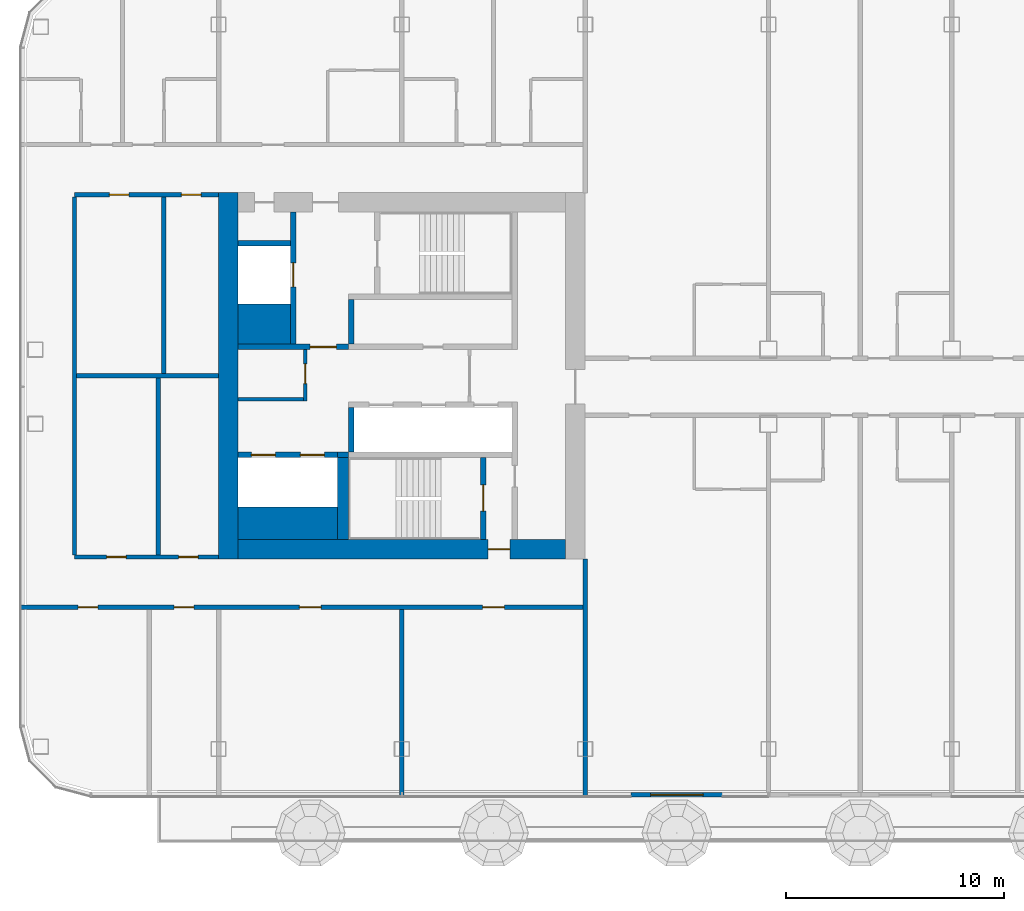
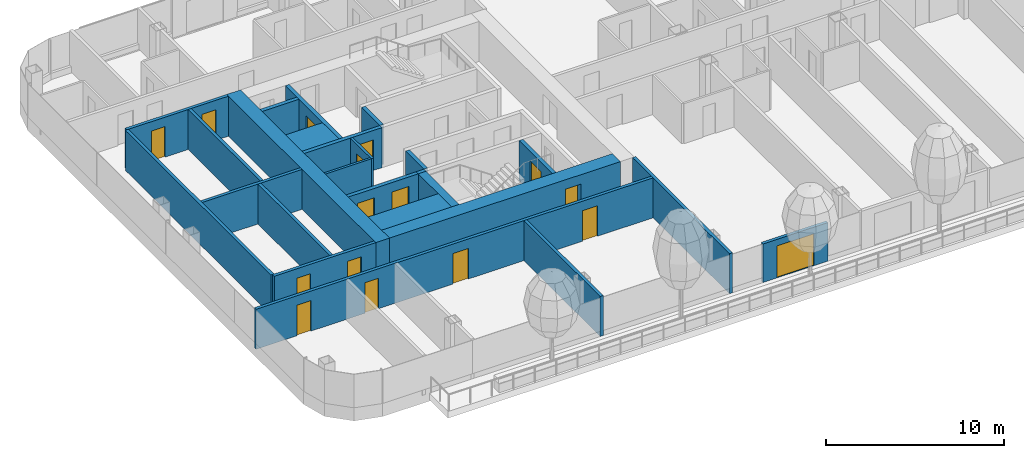
# One storey, part 10 of 30: 25 walls, 16 doors, 16 openings, 1 element without a shape of its own.
"""IFC4 building model written with IfcOpenShell, lengths in metres."""

from ifc_helpers import new_model, si_unit, direction, frame, frame_2d, origin, place, context, subcontext, project, spatial, rectangle, extrude, material, layer, layer_set, type_object, element, fill, aggregate, save


model = new_model("IFC4")

# Units and contexts
model_context = context("Model", 3, precision=1e-05, world=origin(), true_north=direction((0.0, 1.0)))
body_context = subcontext(model_context, "Body", "Model", "MODEL_VIEW")
ifc_project = project(units=[si_unit("LENGTHUNIT", "METRE"), si_unit("AREAUNIT", "SQUARE_METRE"), si_unit("VOLUMEUNIT", "CUBIC_METRE"), si_unit("PLANEANGLEUNIT", "RADIAN"), si_unit("MASSUNIT", "GRAM", prefix="KILO")], contexts=[model_context])

# Site, building, storey
site_placement = place(None, origin())
site = spatial("IfcSite", under=ifc_project, at=site_placement, CompositionType="ELEMENT")
building_placement = place(site_placement, origin())
building = spatial("IfcBuilding", under=site, at=building_placement, Name="Hakoniwa Tower and Hamabe Station Hall", CompositionType="ELEMENT")
storey_placement = place(building_placement, frame((0.0, 0.0, 137.39990234375)))
storey = spatial("IfcBuildingStorey", under=building, at=storey_placement, Name="L38", CompositionType="ELEMENT", Elevation=137.39990234375)

# Wall, opening, door
ifc_material_1 = material(Name="Gypsum board partition")
ifc_layer_1 = layer(ifc_material_1, 0.14990234375)
ifc_layer_set_1 = layer_set([ifc_layer_1], Name="CORE PARTITION 150 EI 60")
wall_type_1 = type_object("IfcWallType", Name="CORE PARTITION 150 EI 60", PredefinedType="PARTITIONING", material=ifc_layer_set_1)
wall_1_placement = place(storey_placement, frame((-29.625, -1.14990234375, 0.0), z_axis=(0.0, 0.0, 1.0), x_axis=(0.0, 1.0, 0.0)))
wall_1 = element("IfcWall", 1, at=wall_1_placement, inside=storey, type_object=wall_type_1, Name="Core partition PW0 west", PredefinedType="PARTITIONING", context=body_context, shape_type="SweptSolid", body=[
    extrude(rectangle(XDim=2.349853515625, YDim=0.14990234375, at=frame_2d((1.1748046875, 0.0))), origin(), (0.0, 0.0, 1.0), 2.75),
])
opening_1_placement = place(wall_1_placement, frame((0.800048828125, 0.0, 0.0)))
opening_1 = element("IfcOpeningElement", 2, at=opening_1_placement, cuts=wall_1, Name="Opening CD-W-RM1-9", PredefinedType="OPENING", context=body_context, shape_type="SweptSolid", body=[
    extrude(rectangle(XDim=0.89990234375, YDim=2.10009765625, at=frame_2d((0.449951171875, 1.050048828125))), frame((0.0, 0.0849609375, 0.0), z_axis=(0.0, -1.0, 0.0), x_axis=(1.0, 0.0, 0.0)), (0.0, 0.0, 1.0), 0.169921875),
])
ifc_material_2 = material(Name="Steel fire door", Category="steel")
door_type_1 = type_object("IfcDoorType", Name="CORE DOOR 900 FD30", OperationType="NOTDEFINED", PredefinedType="DOOR", material=ifc_material_2)
door_1_placement = place(opening_1_placement, origin())
door_1 = element("IfcDoor", 3, at=door_1_placement, inside=storey, type_object=door_type_1, Name="Store room door", OperationType="SINGLE_SWING_RIGHT", OverallHeight=2.10009765625, OverallWidth=0.89990234375, PredefinedType="DOOR", context=body_context, shape_type="SweptSolid", body=[
    extrude(rectangle(XDim=0.89990234375, YDim=2.10009765625, at=frame_2d((0.449951171875, 1.050048828125))), frame((0.0, 0.02490234375, 0.0), z_axis=(0.0, -1.0, 0.0), x_axis=(1.0, 0.0, 0.0)), (0.0, 0.0, 1.0), 0.050048828125),
])
fill(opening_1, door_1)

# Walls
wall_2_placement = place(storey_placement, frame((-32.699951171875, -1.074951171875, 0.0), z_axis=(0.0, 0.0, 1.0), x_axis=(1.0, 0.0, 0.0)))
element("IfcWall", 4, at=wall_2_placement, inside=storey, type_object=wall_type_1, Name="Core partition PS west", PredefinedType="PARTITIONING", context=body_context, shape_type="SweptSolid", body=[
    extrude(rectangle(XDim=3.0, YDim=0.14990234375, at=frame_2d((1.5, 0.0))), origin(), (0.0, 0.0, 1.0), 2.75),
])
ifc_material_3 = material(Name="Concrete C66", Category="concrete")
ifc_layer_2 = layer(ifc_material_3, 0.89990234375)
ifc_layer_set_2 = layer_set([ifc_layer_2], Name="CORE WALL 900 C66")
wall_type_2 = type_object("IfcWallType", Name="CORE WALL 900 C66", PredefinedType="SHEAR", material=ifc_layer_set_2)
wall_3_placement = place(storey_placement, frame((-33.14990234375, -8.39990234375, 0.0), z_axis=(0.0, 0.0, 1.0), x_axis=(0.0, 1.0, 0.0)))
element("IfcWall", 5, at=wall_3_placement, inside=storey, type_object=wall_type_2, Name="Core wall OUTER west", PredefinedType="SHEAR", context=body_context, shape_type="SweptSolid", body=[
    extrude(rectangle(XDim=16.7998046875, YDim=0.89990234375, at=frame_2d((8.39990234375, 0.0))), origin(), (0.0, 0.0, 1.0), 2.75),
])

# Wall, opening, door
wall_4_placement = place(storey_placement, frame((-32.699951171875, -7.949951171875, 0.0), z_axis=(0.0, 0.0, 1.0), x_axis=(1.0, 0.0, 0.0)))
wall_4 = element("IfcWall", 6, at=wall_4_placement, inside=storey, type_object=wall_type_2, Name="Core wall SOUTH west", PredefinedType="SHEAR", context=body_context, shape_type="SweptSolid", body=[
    extrude(rectangle(XDim=15.0, YDim=0.89990234375, at=frame_2d((7.5, 0.0))), origin(), (0.0, 0.0, 1.0), 2.75),
])
opening_2_placement = place(wall_4_placement, frame((11.449951171875, 0.0, 0.0)))
opening_2 = element("IfcOpeningElement", 7, at=opening_2_placement, cuts=wall_4, Name="Opening CD-W-FS3-10", PredefinedType="OPENING", context=body_context, shape_type="SweptSolid", body=[
    extrude(rectangle(XDim=1.0, YDim=2.10009765625, at=frame_2d((0.5, 1.050048828125))), frame((0.0, 0.4599609375, 0.0), z_axis=(0.0, -1.0, 0.0), x_axis=(1.0, 0.0, 0.0)), (0.0, 0.0, 1.0), 0.919921875),
])
ifc_material_4 = material(Name="Steel fire door", Category="steel")
door_type_2 = type_object("IfcDoorType", Name="CORE DOOR 1000 FD60", OperationType="NOTDEFINED", PredefinedType="DOOR", material=ifc_material_4)
door_2_placement = place(opening_2_placement, origin())
door_2 = element("IfcDoor", 8, at=door_2_placement, inside=storey, type_object=door_type_2, Name="Stair vestibule door", OperationType="SINGLE_SWING_RIGHT", OverallHeight=2.10009765625, OverallWidth=1.0, PredefinedType="DOOR", context=body_context, shape_type="SweptSolid", body=[
    extrude(rectangle(XDim=1.0, YDim=2.10009765625, at=frame_2d((0.5, 1.050048828125))), frame((0.0, 0.02490234375, 0.0), z_axis=(0.0, -1.0, 0.0), x_axis=(1.0, 0.0, 0.0)), (0.0, 0.0, 1.0), 0.050048828125),
])
fill(opening_2, door_2)

# Walls
ifc_material_5 = material(Name="Concrete C66", Category="concrete")
ifc_layer_3 = layer(ifc_material_5, 1.5)
ifc_layer_set_3 = layer_set([ifc_layer_3], Name="CORE WEB WALL 1500 C66")
wall_type_3 = type_object("IfcWallType", Name="CORE WEB WALL 1500 C66", PredefinedType="SHEAR", material=ifc_layer_set_3)
wall_5_placement = place(storey_placement, frame((-32.699951171875, -6.75, 0.0), z_axis=(0.0, 0.0, 1.0), x_axis=(1.0, 0.0, 0.0)))
element("IfcWall", 9, at=wall_5_placement, inside=storey, type_object=wall_type_3, Name="Core wall SER west", PredefinedType="SHEAR", context=body_context, shape_type="SweptSolid", body=[
    extrude(rectangle(XDim=4.550048828125, YDim=1.5, at=frame_2d((2.27490234375, 0.0))), origin(), (0.0, 0.0, 1.0), 2.75),
])
ifc_material_6 = material(Name="Concrete C66", Category="concrete")
ifc_layer_4 = layer(ifc_material_6, 1.85009765625)
ifc_layer_set_4 = layer_set([ifc_layer_4], Name="CORE WEB WALL 1850 C66")
wall_type_4 = type_object("IfcWallType", Name="CORE WEB WALL 1850 C66", PredefinedType="SHEAR", material=ifc_layer_set_4)
wall_6_placement = place(storey_placement, frame((-32.699951171875, 2.375, 0.0), z_axis=(0.0, 0.0, 1.0), x_axis=(1.0, 0.0, 0.0)))
element("IfcWall", 10, at=wall_6_placement, inside=storey, type_object=wall_type_4, Name="Core wall CA west", PredefinedType="SHEAR", context=body_context, shape_type="SweptSolid", body=[
    extrude(rectangle(XDim=2.39990234375, YDim=1.85009765625, at=frame_2d((1.199951171875, 0.0))), origin(), (0.0, 0.0, 1.0), 2.75),
])
ifc_material_7 = material(Name="Concrete C66", Category="concrete")
ifc_layer_5 = layer(ifc_material_7, 0.25)
ifc_layer_set_5 = layer_set([ifc_layer_5], Name="CORE WEB WALL 250 C66")
wall_type_5 = type_object("IfcWallType", Name="CORE WEB WALL 250 C66", PredefinedType="SHEAR", material=ifc_layer_set_5)
wall_7_placement = place(storey_placement, frame((-27.52490234375, 1.449951171875, 0.0), z_axis=(0.0, 0.0, 1.0), x_axis=(0.0, 1.0, 0.0)))
element("IfcWall", 11, at=wall_7_placement, inside=storey, type_object=wall_type_5, Name="Core wall NE west", PredefinedType="SHEAR", context=body_context, shape_type="SweptSolid", body=[
    extrude(rectangle(XDim=2.050048828125, YDim=0.25, at=frame_2d((1.02490234375, 0.0))), origin(), (0.0, 0.0, 1.0), 2.75),
])

# Wall, opening, door
wall_8_placement = place(storey_placement, frame((-32.699951171875, 1.324951171875, 0.0), z_axis=(0.0, 0.0, 1.0), x_axis=(1.0, 0.0, 0.0)))
wall_8 = element("IfcWall", 12, at=wall_8_placement, inside=storey, type_object=wall_type_5, Name="Core wall ELN west", PredefinedType="SHEAR", context=body_context, shape_type="SweptSolid", body=[
    extrude(rectangle(XDim=5.050048828125, YDim=0.25, at=frame_2d((2.52490234375, 0.0))), origin(), (0.0, 0.0, 1.0), 2.75),
])
opening_3_placement = place(wall_8_placement, frame((3.300048828125, 0.0, 0.0)))
opening_3 = element("IfcOpeningElement", 13, at=opening_3_placement, cuts=wall_8, Name="Opening CD-W-FL-12", PredefinedType="OPENING", context=body_context, shape_type="SweptSolid", body=[
    extrude(rectangle(XDim=1.199951171875, YDim=2.10009765625, at=frame_2d((0.60009765625, 1.050048828125))), frame((0.0, 0.135009765625, 0.0), z_axis=(0.0, -1.0, 0.0), x_axis=(1.0, 0.0, 0.0)), (0.0, 0.0, 1.0), 0.27001953125),
])
ifc_material_8 = material(Name="Steel fire door", Category="steel")
door_type_3 = type_object("IfcDoorType", Name="CORE DOOR 1200 FD60", OperationType="DOUBLE_DOOR_SINGLE_SWING", PredefinedType="DOOR", material=ifc_material_8)
door_3_placement = place(opening_3_placement, origin())
door_3 = element("IfcDoor", 14, at=door_3_placement, inside=storey, type_object=door_type_3, Name="Stair vestibule door to the fire-fighting lobby", OperationType="DOUBLE_DOOR_SINGLE_SWING", OverallHeight=2.10009765625, OverallWidth=1.199951171875, PredefinedType="DOOR", context=body_context, shape_type="SweptSolid", body=[
    extrude(rectangle(XDim=1.199951171875, YDim=2.10009765625, at=frame_2d((0.60009765625, 1.050048828125))), frame((0.0, 0.02490234375, 0.0), z_axis=(0.0, -1.0, 0.0), x_axis=(1.0, 0.0, 0.0)), (0.0, 0.0, 1.0), 0.050048828125),
])
fill(opening_3, door_3)

wall_9_placement = place(storey_placement, frame((-30.175048828125, 1.449951171875, 0.0), z_axis=(0.0, 0.0, 1.0), x_axis=(0.0, 1.0, 0.0)))
wall_9 = element("IfcWall", 15, at=wall_9_placement, inside=storey, type_object=wall_type_5, Name="Core wall FFF west", PredefinedType="SHEAR", context=body_context, shape_type="SweptSolid", body=[
    extrude(rectangle(XDim=6.050048828125, YDim=0.25, at=frame_2d((3.02490234375, 0.0))), origin(), (0.0, 0.0, 1.0), 2.75),
])
opening_4_placement = place(wall_9_placement, frame((2.625, 0.0, 0.0)))
opening_4 = element("IfcOpeningElement", 16, at=opening_4_placement, cuts=wall_9, Name="Opening LD-FF1", PredefinedType="OPENING", context=body_context, shape_type="SweptSolid", body=[
    extrude(rectangle(XDim=1.10009765625, YDim=2.10009765625, at=frame_2d((0.550048828125, 1.050048828125))), frame((0.0, 0.135009765625, 0.0), z_axis=(0.0, -1.0, 0.0), x_axis=(1.0, 0.0, 0.0)), (0.0, 0.0, 1.0), 0.27001953125),
])
ifc_material_9 = material(Name="Stainless steel SUS304", Category="steel")
door_type_4 = type_object("IfcDoorType", Name="LIFT LANDING DOOR 1100 FD60", OperationType="DOUBLE_DOOR_SLIDING", PredefinedType="DOOR", material=ifc_material_9)
door_4_placement = place(opening_4_placement, origin())
door_4 = element("IfcDoor", 17, at=door_4_placement, inside=storey, type_object=door_type_4, Name="Lift landing door FF1 L38", OperationType="DOUBLE_DOOR_SLIDING", OverallHeight=2.10009765625, OverallWidth=1.10009765625, PredefinedType="DOOR", context=body_context, shape_type="SweptSolid", body=[
    extrude(rectangle(XDim=1.10009765625, YDim=2.10009765625, at=frame_2d((0.550048828125, 1.050048828125))), frame((0.0, 0.02490234375, 0.0), z_axis=(0.0, -1.0, 0.0), x_axis=(1.0, 0.0, 0.0)), (0.0, 0.0, 1.0), 0.050048828125),
])
fill(opening_4, door_4)

# Walls
wall_10_placement = place(storey_placement, frame((-32.699951171875, 6.074951171875, 0.0), z_axis=(0.0, 0.0, 1.0), x_axis=(1.0, 0.0, 0.0)))
element("IfcWall", 18, at=wall_10_placement, inside=storey, type_object=wall_type_5, Name="Core wall C2 west", PredefinedType="SHEAR", context=body_context, shape_type="SweptSolid", body=[
    extrude(rectangle(XDim=2.39990234375, YDim=0.25, at=frame_2d((1.199951171875, 0.0))), origin(), (0.0, 0.0, 1.0), 2.75),
])
wall_11_placement = place(storey_placement, frame((-27.52490234375, -3.5, 0.0), z_axis=(0.0, 0.0, 1.0), x_axis=(0.0, 1.0, 0.0)))
element("IfcWall", 19, at=wall_11_placement, inside=storey, type_object=wall_type_5, Name="Core wall SE west", PredefinedType="SHEAR", context=body_context, shape_type="SweptSolid", body=[
    extrude(rectangle(XDim=2.050048828125, YDim=0.25, at=frame_2d((1.02490234375, 0.0))), origin(), (0.0, 0.0, 1.0), 2.75),
])

# Wall, opening, door
wall_12_placement = place(storey_placement, frame((-21.47509765625, -7.5, 0.0), z_axis=(0.0, 0.0, 1.0), x_axis=(0.0, 1.0, 0.0)))
wall_12 = element("IfcWall", 20, at=wall_12_placement, inside=storey, type_object=wall_type_5, Name="Core wall VE west", PredefinedType="SHEAR", context=body_context, shape_type="SweptSolid", body=[
    extrude(rectangle(XDim=3.75, YDim=0.25, at=frame_2d((1.875, 0.0))), origin(), (0.0, 0.0, 1.0), 2.75),
])
opening_5_placement = place(wall_12_placement, frame((1.300048828125, 0.0, 0.0)))
opening_5 = element("IfcOpeningElement", 21, at=opening_5_placement, cuts=wall_12, Name="Opening CD-W-SS-12", PredefinedType="OPENING", context=body_context, shape_type="SweptSolid", body=[
    extrude(rectangle(XDim=1.199951171875, YDim=2.10009765625, at=frame_2d((0.60009765625, 1.050048828125))), frame((0.0, 0.135009765625, 0.0), z_axis=(0.0, -1.0, 0.0), x_axis=(1.0, 0.0, 0.0)), (0.0, 0.0, 1.0), 0.27001953125),
])
door_5_placement = place(opening_5_placement, origin())
door_5 = element("IfcDoor", 22, at=door_5_placement, inside=storey, type_object=door_type_3, Name="Escape stair door", OperationType="DOUBLE_DOOR_SINGLE_SWING", OverallHeight=2.10009765625, OverallWidth=1.199951171875, PredefinedType="DOOR", context=body_context, shape_type="SweptSolid", body=[
    extrude(rectangle(XDim=1.199951171875, YDim=2.10009765625, at=frame_2d((0.60009765625, 1.050048828125))), frame((0.0, 0.02490234375, 0.0), z_axis=(0.0, -1.0, 0.0), x_axis=(1.0, 0.0, 0.0)), (0.0, 0.0, 1.0), 0.050048828125),
])
fill(opening_5, door_5)

# Wall, openings, doors
wall_13_placement = place(storey_placement, frame((-32.699951171875, -3.625, 0.0), z_axis=(0.0, 0.0, 1.0), x_axis=(1.0, 0.0, 0.0)))
wall_13 = element("IfcWall", 23, at=wall_13_placement, inside=storey, type_object=wall_type_5, Name="Core wall SEF west", PredefinedType="SHEAR", context=body_context, shape_type="SweptSolid", body=[
    extrude(rectangle(XDim=4.550048828125, YDim=0.25, at=frame_2d((2.27490234375, 0.0))), origin(), (0.0, 0.0, 1.0), 2.75),
])
opening_6_placement = place(wall_13_placement, frame((2.85009765625, 0.0, 0.0)))
opening_6 = element("IfcOpeningElement", 24, at=opening_6_placement, cuts=wall_13, Name="Opening LD-SV1", PredefinedType="OPENING", context=body_context, shape_type="SweptSolid", body=[
    extrude(rectangle(XDim=1.10009765625, YDim=2.10009765625, at=frame_2d((0.550048828125, 1.050048828125))), frame((0.0, 0.135009765625, 0.0), z_axis=(0.0, -1.0, 0.0), x_axis=(1.0, 0.0, 0.0)), (0.0, 0.0, 1.0), 0.27001953125),
])
opening_7_placement = place(wall_13_placement, frame((0.60009765625, 0.0, 0.0)))
opening_7 = element("IfcOpeningElement", 25, at=opening_7_placement, cuts=wall_13, Name="Opening LD-SV2", PredefinedType="OPENING", context=body_context, shape_type="SweptSolid", body=[
    extrude(rectangle(XDim=1.10009765625, YDim=2.10009765625, at=frame_2d((0.550048828125, 1.050048828125))), frame((0.0, 0.135009765625, 0.0), z_axis=(0.0, -1.0, 0.0), x_axis=(1.0, 0.0, 0.0)), (0.0, 0.0, 1.0), 0.27001953125),
])
door_6_placement = place(opening_6_placement, origin())
door_6 = element("IfcDoor", 26, at=door_6_placement, inside=storey, type_object=door_type_4, Name="Lift landing door SV1 L38", OperationType="DOUBLE_DOOR_SLIDING", OverallHeight=2.10009765625, OverallWidth=1.10009765625, PredefinedType="DOOR", context=body_context, shape_type="SweptSolid", body=[
    extrude(rectangle(XDim=1.10009765625, YDim=2.10009765625, at=frame_2d((0.550048828125, 1.050048828125))), frame((0.0, 0.02490234375, 0.0), z_axis=(0.0, -1.0, 0.0), x_axis=(1.0, 0.0, 0.0)), (0.0, 0.0, 1.0), 0.050048828125),
])
fill(opening_6, door_6)
door_7_placement = place(opening_7_placement, origin())
door_7 = element("IfcDoor", 27, at=door_7_placement, inside=storey, type_object=door_type_4, Name="Lift landing door SV2 L38", OperationType="DOUBLE_DOOR_SLIDING", OverallHeight=2.10009765625, OverallWidth=1.10009765625, PredefinedType="DOOR", context=body_context, shape_type="SweptSolid", body=[
    extrude(rectangle(XDim=1.10009765625, YDim=2.10009765625, at=frame_2d((0.550048828125, 1.050048828125))), frame((0.0, 0.02490234375, 0.0), z_axis=(0.0, -1.0, 0.0), x_axis=(1.0, 0.0, 0.0)), (0.0, 0.0, 1.0), 0.050048828125),
])
fill(opening_7, door_7)

# Walls
wall_14_placement = place(storey_placement, frame((-28.14990234375, -3.625, 0.0), z_axis=(0.0, 0.0, 1.0), x_axis=(1.0, 0.0, 0.0)))
element("IfcWall", 28, at=wall_14_placement, inside=storey, type_object=wall_type_5, Name="Core wall SRK west", PredefinedType="SHEAR", context=body_context, shape_type="SweptSolid", body=[
    extrude(rectangle(XDim=0.5, YDim=0.25, at=frame_2d((0.25, 0.0))), origin(), (0.0, 0.0, 1.0), 2.75),
])
ifc_material_10 = material(Name="Concrete C66", Category="concrete")
ifc_layer_6 = layer(ifc_material_10, 0.5)
ifc_layer_set_6 = layer_set([ifc_layer_6], Name="CORE WEB WALL 500 C66")
wall_type_6 = type_object("IfcWallType", Name="CORE WEB WALL 500 C66", PredefinedType="SHEAR", material=ifc_layer_set_6)
wall_15_placement = place(storey_placement, frame((-27.89990234375, -7.5, 0.0), z_axis=(0.0, 0.0, 1.0), x_axis=(0.0, 1.0, 0.0)))
element("IfcWall", 29, at=wall_15_placement, inside=storey, type_object=wall_type_6, Name="Core wall SSE west", PredefinedType="SHEAR", context=body_context, shape_type="SweptSolid", body=[
    extrude(rectangle(XDim=3.75, YDim=0.5, at=frame_2d((1.875, 0.0))), origin(), (0.0, 0.0, 1.0), 2.75),
])

# Wall, openings, doors
ifc_material_11 = material(Name="Fire-rated gypsum board partition", Category="gypsum")
ifc_layer_7 = layer(ifc_material_11, 0.199951171875)
ifc_layer_set_7 = layer_set([ifc_layer_7], Name="Corridor Wall 200")
wall_type_7 = type_object("IfcWallType", Name="Corridor Wall 200", PredefinedType="PARTITIONING", material=ifc_layer_set_7)
wall_16_placement = place(storey_placement, frame((-42.699951171875, -10.60009765625, 0.0), z_axis=(0.0, 0.0, 1.0), x_axis=(1.0, 0.0, 0.0)))
wall_16 = element("IfcWall", 30, at=wall_16_placement, inside=storey, type_object=wall_type_7, Name="GW-L38-005", PredefinedType="PARTITIONING", context=body_context, shape_type="SweptSolid", body=[
    extrude(rectangle(XDim=25.89990234375, YDim=0.199951171875, at=frame_2d((12.949951171875, 0.0))), origin(), (0.0, 0.0, 1.0), 2.75),
])
opening_8_placement = place(wall_16_placement, frame((2.6650390625, 0.0, 0.0)))
opening_8 = element("IfcOpeningElement", 31, at=opening_8_placement, cuts=wall_16, Name="Opening GD-G3C0-03", PredefinedType="OPENING", context=body_context, shape_type="SweptSolid", body=[
    extrude(rectangle(XDim=0.89990234375, YDim=2.10009765625, at=frame_2d((0.449951171875, 1.050048828125))), frame((0.0, 0.10986328125, 0.0), z_axis=(0.0, -1.0, 0.0), x_axis=(1.0, 0.0, 0.0)), (0.0, 0.0, 1.0), 0.219970703125),
])
opening_9_placement = place(wall_16_placement, frame((7.06494140625, 0.0, 0.0)))
opening_9 = element("IfcOpeningElement", 32, at=opening_9_placement, cuts=wall_16, Name="Opening GD-G3C0-04", PredefinedType="OPENING", context=body_context, shape_type="SweptSolid", body=[
    extrude(rectangle(XDim=0.89990234375, YDim=2.10009765625, at=frame_2d((0.449951171875, 1.050048828125))), frame((0.0, 0.10986328125, 0.0), z_axis=(0.0, -1.0, 0.0), x_axis=(1.0, 0.0, 0.0)), (0.0, 0.0, 1.0), 0.219970703125),
])
opening_10_placement = place(wall_16_placement, frame((12.800048828125, 0.0, 0.0)))
opening_10 = element("IfcOpeningElement", 33, at=opening_10_placement, cuts=wall_16, Name="Opening GD-G3C0-05", PredefinedType="OPENING", context=body_context, shape_type="SweptSolid", body=[
    extrude(rectangle(XDim=1.0, YDim=2.10009765625, at=frame_2d((0.5, 1.050048828125))), frame((0.0, 0.10986328125, 0.0), z_axis=(0.0, -1.0, 0.0), x_axis=(1.0, 0.0, 0.0)), (0.0, 0.0, 1.0), 0.219970703125),
])
opening_11_placement = place(wall_16_placement, frame((21.199951171875, 0.0, 0.0)))
opening_11 = element("IfcOpeningElement", 34, at=opening_11_placement, cuts=wall_16, Name="Opening GD-G3C0-06", PredefinedType="OPENING", context=body_context, shape_type="SweptSolid", body=[
    extrude(rectangle(XDim=1.0, YDim=2.10009765625, at=frame_2d((0.5, 1.050048828125))), frame((0.0, 0.10986328125, 0.0), z_axis=(0.0, -1.0, 0.0), x_axis=(1.0, 0.0, 0.0)), (0.0, 0.0, 1.0), 0.219970703125),
])
ifc_material_12 = material(Name="Timber door leaf", Category="wood")
door_type_5 = type_object("IfcDoorType", Name="Guest Entrance Door 1000", OperationType="SINGLE_SWING_LEFT", PredefinedType="DOOR", material=ifc_material_12)
door_8_placement = place(opening_10_placement, origin())
door_8 = element("IfcDoor", 35, at=door_8_placement, inside=storey, type_object=door_type_5, Name="Door GD-G3C0-05", OperationType="SINGLE_SWING_RIGHT", OverallHeight=2.10009765625, OverallWidth=1.0, PredefinedType="DOOR", context=body_context, shape_type="SweptSolid", body=[
    extrude(rectangle(XDim=1.0, YDim=2.10009765625, at=frame_2d((0.5, 1.050048828125))), frame((0.0, 0.02490234375, 0.0), z_axis=(0.0, -1.0, 0.0), x_axis=(1.0, 0.0, 0.0)), (0.0, 0.0, 1.0), 0.050048828125),
])
fill(opening_10, door_8)
door_9_placement = place(opening_11_placement, origin())
door_9 = element("IfcDoor", 36, at=door_9_placement, inside=storey, type_object=door_type_5, Name="Door GD-G3C0-06", OperationType="SINGLE_SWING_LEFT", OverallHeight=2.10009765625, OverallWidth=1.0, PredefinedType="DOOR", context=body_context, shape_type="SweptSolid", body=[
    extrude(rectangle(XDim=1.0, YDim=2.10009765625, at=frame_2d((0.5, 1.050048828125))), frame((0.0, 0.02490234375, 0.0), z_axis=(0.0, -1.0, 0.0), x_axis=(1.0, 0.0, 0.0)), (0.0, 0.0, 1.0), 0.050048828125),
])
fill(opening_11, door_9)
ifc_material_13 = material(Name="Timber door leaf", Category="wood")
door_type_6 = type_object("IfcDoorType", Name="Service Door 900", OperationType="SINGLE_SWING_LEFT", PredefinedType="DOOR", material=ifc_material_13)
door_10_placement = place(opening_8_placement, origin())
door_10 = element("IfcDoor", 37, at=door_10_placement, inside=storey, type_object=door_type_6, Name="Door GD-G3C0-03", OperationType="SINGLE_SWING_RIGHT", OverallHeight=2.10009765625, OverallWidth=0.89990234375, PredefinedType="DOOR", context=body_context, shape_type="SweptSolid", body=[
    extrude(rectangle(XDim=0.89990234375, YDim=2.10009765625, at=frame_2d((0.449951171875, 1.050048828125))), frame((0.0, 0.02490234375, 0.0), z_axis=(0.0, -1.0, 0.0), x_axis=(1.0, 0.0, 0.0)), (0.0, 0.0, 1.0), 0.050048828125),
])
fill(opening_8, door_10)
door_11_placement = place(opening_9_placement, origin())
door_11 = element("IfcDoor", 38, at=door_11_placement, inside=storey, type_object=door_type_6, Name="Door GD-G3C0-04", OperationType="SINGLE_SWING_LEFT", OverallHeight=2.10009765625, OverallWidth=0.89990234375, PredefinedType="DOOR", context=body_context, shape_type="SweptSolid", body=[
    extrude(rectangle(XDim=0.89990234375, YDim=2.10009765625, at=frame_2d((0.449951171875, 1.050048828125))), frame((0.0, 0.02490234375, 0.0), z_axis=(0.0, -1.0, 0.0), x_axis=(1.0, 0.0, 0.0)), (0.0, 0.0, 1.0), 0.050048828125),
])
fill(opening_9, door_11)

wall_17_placement = place(storey_placement, frame((-40.199951171875, -8.300048828125, 0.0), z_axis=(0.0, 0.0, 1.0), x_axis=(1.0, 0.0, 0.0)))
wall_17 = element("IfcWall", 39, at=wall_17_placement, inside=storey, type_object=wall_type_7, Name="GW-L38-007", PredefinedType="PARTITIONING", context=body_context, shape_type="SweptSolid", body=[
    extrude(rectangle(XDim=6.599853515625, YDim=0.199951171875, at=frame_2d((3.2998046875, 0.0))), origin(), (0.0, 0.0, 1.0), 2.75),
])
opening_12_placement = place(wall_17_placement, frame((1.465087890625, 0.0, 0.0)))
opening_12 = element("IfcOpeningElement", 40, at=opening_12_placement, cuts=wall_17, Name="Opening GD-G3C0-11", PredefinedType="OPENING", context=body_context, shape_type="SweptSolid", body=[
    extrude(rectangle(XDim=0.89990234375, YDim=2.10009765625, at=frame_2d((0.449951171875, 1.050048828125))), frame((0.0, 0.10986328125, 0.0), z_axis=(0.0, -1.0, 0.0), x_axis=(1.0, 0.0, 0.0)), (0.0, 0.0, 1.0), 0.219970703125),
])
opening_13_placement = place(wall_17_placement, frame((4.764892578125, 0.0, 0.0)))
opening_13 = element("IfcOpeningElement", 41, at=opening_13_placement, cuts=wall_17, Name="Opening GD-G3C0-12", PredefinedType="OPENING", context=body_context, shape_type="SweptSolid", body=[
    extrude(rectangle(XDim=0.89990234375, YDim=2.10009765625, at=frame_2d((0.449951171875, 1.050048828125))), frame((0.0, 0.10986328125, 0.0), z_axis=(0.0, -1.0, 0.0), x_axis=(1.0, 0.0, 0.0)), (0.0, 0.0, 1.0), 0.219970703125),
])
door_12_placement = place(opening_12_placement, origin())
door_12 = element("IfcDoor", 42, at=door_12_placement, inside=storey, type_object=door_type_6, Name="Door GD-G3C0-11", OperationType="SINGLE_SWING_RIGHT", OverallHeight=2.10009765625, OverallWidth=0.89990234375, PredefinedType="DOOR", context=body_context, shape_type="SweptSolid", body=[
    extrude(rectangle(XDim=0.89990234375, YDim=2.10009765625, at=frame_2d((0.449951171875, 1.050048828125))), frame((0.0, 0.02490234375, 0.0), z_axis=(0.0, -1.0, 0.0), x_axis=(1.0, 0.0, 0.0)), (0.0, 0.0, 1.0), 0.050048828125),
])
fill(opening_12, door_12)
door_13_placement = place(opening_13_placement, origin())
door_13 = element("IfcDoor", 43, at=door_13_placement, inside=storey, type_object=door_type_6, Name="Door GD-G3C0-12", OperationType="SINGLE_SWING_RIGHT", OverallHeight=2.10009765625, OverallWidth=0.89990234375, PredefinedType="DOOR", context=body_context, shape_type="SweptSolid", body=[
    extrude(rectangle(XDim=0.89990234375, YDim=2.10009765625, at=frame_2d((0.449951171875, 1.050048828125))), frame((0.0, 0.02490234375, 0.0), z_axis=(0.0, -1.0, 0.0), x_axis=(1.0, 0.0, 0.0)), (0.0, 0.0, 1.0), 0.050048828125),
])
fill(opening_13, door_13)

wall_18_placement = place(storey_placement, frame((-40.199951171875, 8.300048828125, 0.0), z_axis=(0.0, 0.0, 1.0), x_axis=(1.0, 0.0, 0.0)))
wall_18 = element("IfcWall", 44, at=wall_18_placement, inside=storey, type_object=wall_type_7, Name="GW-L38-023", PredefinedType="PARTITIONING", context=body_context, shape_type="SweptSolid", body=[
    extrude(rectangle(XDim=6.599853515625, YDim=0.199951171875, at=frame_2d((3.2998046875, 0.0))), origin(), (0.0, 0.0, 1.0), 2.75),
])
opening_14_placement = place(wall_18_placement, frame((1.594970703125, 0.0, 0.0)))
opening_14 = element("IfcOpeningElement", 45, at=opening_14_placement, cuts=wall_18, Name="Opening GD-G3C0-31", PredefinedType="OPENING", context=body_context, shape_type="SweptSolid", body=[
    extrude(rectangle(XDim=0.89990234375, YDim=2.10009765625, at=frame_2d((0.449951171875, 1.050048828125))), frame((0.0, 0.10986328125, 0.0), z_axis=(0.0, -1.0, 0.0), x_axis=(1.0, 0.0, 0.0)), (0.0, 0.0, 1.0), 0.219970703125),
])
opening_15_placement = place(wall_18_placement, frame((4.89501953125, 0.0, 0.0)))
opening_15 = element("IfcOpeningElement", 46, at=opening_15_placement, cuts=wall_18, Name="Opening GD-G3C0-32", PredefinedType="OPENING", context=body_context, shape_type="SweptSolid", body=[
    extrude(rectangle(XDim=0.89990234375, YDim=2.10009765625, at=frame_2d((0.449951171875, 1.050048828125))), frame((0.0, 0.10986328125, 0.0), z_axis=(0.0, -1.0, 0.0), x_axis=(1.0, 0.0, 0.0)), (0.0, 0.0, 1.0), 0.219970703125),
])
door_14_placement = place(opening_14_placement, origin())
door_14 = element("IfcDoor", 47, at=door_14_placement, inside=storey, type_object=door_type_6, Name="Door GD-G3C0-31", OperationType="SINGLE_SWING_LEFT", OverallHeight=2.10009765625, OverallWidth=0.89990234375, PredefinedType="DOOR", context=body_context, shape_type="SweptSolid", body=[
    extrude(rectangle(XDim=0.89990234375, YDim=2.10009765625, at=frame_2d((0.449951171875, 1.050048828125))), frame((0.0, 0.02490234375, 0.0), z_axis=(0.0, -1.0, 0.0), x_axis=(1.0, 0.0, 0.0)), (0.0, 0.0, 1.0), 0.050048828125),
])
fill(opening_14, door_14)
door_15_placement = place(opening_15_placement, origin())
door_15 = element("IfcDoor", 48, at=door_15_placement, inside=storey, type_object=door_type_6, Name="Door GD-G3C0-32", OperationType="SINGLE_SWING_LEFT", OverallHeight=2.10009765625, OverallWidth=0.89990234375, PredefinedType="DOOR", context=body_context, shape_type="SweptSolid", body=[
    extrude(rectangle(XDim=0.89990234375, YDim=2.10009765625, at=frame_2d((0.449951171875, 1.050048828125))), frame((0.0, 0.02490234375, 0.0), z_axis=(0.0, -1.0, 0.0), x_axis=(1.0, 0.0, 0.0)), (0.0, 0.0, 1.0), 0.050048828125),
])
fill(opening_15, door_15)

# Curtain wall, wall, opening, door
ifc_material_14 = material(Name="Dark low-e laminated glass", Category="glass")
ifc_layer_8 = layer(ifc_material_14, 0.199951171875)
ifc_layer_set_8 = layer_set([ifc_layer_8], Name="CW-1 UNITISED GUEST")
curtain_wall_type = type_object("IfcCurtainWallType", Name="CW-1 UNITISED GUEST", PredefinedType="NOTDEFINED", material=ifc_layer_set_8)
curtain_wall_placement = place(storey_placement, origin())
curtain_wall = element("IfcCurtainWall", 49, at=curtain_wall_placement, inside=storey, type_object=curtain_wall_type, Name="CW-1 curtain wall", PredefinedType="NOTDEFINED")
ifc_material_15 = material(Name="Dark glass-faced aluminium panel", Category="aluminium")
ifc_layer_9 = layer(ifc_material_15, 0.199951171875)
ifc_layer_set_9 = layer_set([ifc_layer_9], Name="DOOR BAY WALL")
wall_type_8 = type_object("IfcWallType", Name="DOOR BAY WALL", PredefinedType="NOTDEFINED", material=ifc_layer_set_9)
wall_19_placement = place(storey_placement, frame((-14.7099609375, -19.199951171875, 0.0), z_axis=(0.0, 0.0, 1.0), x_axis=(1.0, 0.0, 0.0)))
wall_19 = element("IfcWall", 50, at=wall_19_placement, type_object=wall_type_8, Name="Door bay wall", PredefinedType="NOTDEFINED", context=body_context, shape_type="SweptSolid", body=[
    extrude(rectangle(XDim=4.219970703125, YDim=0.199951171875, at=frame_2d((2.10986328125, 0.0))), origin(), (0.0, 0.0, 1.0), 2.650146484375),
])
opening_16_placement = place(wall_19_placement, frame((0.909912109375, 0.0, 0.0)))
opening_16 = element("IfcOpeningElement", 51, at=opening_16_placement, cuts=wall_19, Name="Opening BD-S07-6", PredefinedType="OPENING", context=body_context, shape_type="SweptSolid", body=[
    extrude(rectangle(XDim=2.39990234375, YDim=2.199951171875, at=frame_2d((1.199951171875, 1.10009765625))), frame((0.0, 0.10986328125, 0.0), z_axis=(0.0, -1.0, 0.0), x_axis=(1.0, 0.0, 0.0)), (0.0, 0.0, 1.0), 0.219970703125),
])
ifc_material_16 = material(Name="Dark low-e laminated glass", Category="glass")
door_type_7 = type_object("IfcDoorType", Name="BALCONY SLIDING DOOR 2400X2200", OperationType="SLIDING_TO_LEFT", PredefinedType="DOOR", material=ifc_material_16)
door_16_placement = place(opening_16_placement, frame((2.39990234375, 0.0, 0.0), z_axis=(0.0, 0.0, 1.0), x_axis=(-1.0, 0.0, 0.0)))
door_16 = element("IfcDoor", 52, at=door_16_placement, inside=storey, type_object=door_type_7, Name="Balcony sliding door", OperationType="SLIDING_TO_LEFT", OverallHeight=2.199951171875, OverallWidth=2.39990234375, PredefinedType="DOOR", context=body_context, shape_type="SweptSolid", body=[
    extrude(rectangle(XDim=2.39990234375, YDim=2.199951171875, at=frame_2d((1.199951171875, 1.10009765625))), frame((0.0, 0.02490234375, 0.0), z_axis=(0.0, -1.0, 0.0), x_axis=(1.0, 0.0, 0.0)), (0.0, 0.0, 1.0), 0.050048828125),
])
fill(opening_16, door_16)
aggregate(curtain_wall, [wall_19])

# Walls
ifc_material_17 = material(Name="Fire-rated gypsum board partition", Category="gypsum")
ifc_layer_10 = layer(ifc_material_17, 0.199951171875)
ifc_layer_set_10 = layer_set([ifc_layer_10], Name="Party Wall 200")
wall_type_9 = type_object("IfcWallType", Name="Party Wall 200", PredefinedType="PARTITIONING", material=ifc_layer_set_10)
wall_20_placement = place(storey_placement, frame((-40.10009765625, 0.0, 0.0), z_axis=(0.0, 0.0, 1.0), x_axis=(1.0, 0.0, 0.0)))
element("IfcWall", 53, at=wall_20_placement, inside=storey, type_object=wall_type_9, Name="GW-L38-015", PredefinedType="PARTITIONING", context=body_context, shape_type="SweptSolid", body=[
    extrude(rectangle(XDim=6.5, YDim=0.199951171875, at=frame_2d((3.25, 0.0))), origin(), (0.0, 0.0, 1.0), 2.75),
])
wall_21_placement = place(storey_placement, frame((-40.199951171875, -8.199951171875, 0.0), z_axis=(0.0, 0.0, 1.0), x_axis=(0.0, 1.0, 0.0)))
element("IfcWall", 54, at=wall_21_placement, inside=storey, type_object=wall_type_9, Name="GW-L38-036", PredefinedType="PARTITIONING", context=body_context, shape_type="SweptSolid", body=[
    extrude(rectangle(XDim=16.39990234375, YDim=0.199951171875, at=frame_2d((8.199951171875, 0.0))), origin(), (0.0, 0.0, 1.0), 2.75),
])
for number, where, z_axis, x_axis, name in (
    (55, (-36.3701171875, -8.199951171875, 0.0), (0.0, 0.0, 1.0), (0.0, 1.0, 0.0), "GW-L38-040"),
    (56, (-36.110107421875, 0.0, 0.0), (0.0, 0.0, 1.0), (0.0, 1.0, 0.0), "GW-L38-041"),
):
    element("IfcWall", number, at=place(storey_placement, frame(where, z_axis=z_axis, x_axis=x_axis)), inside=storey, type_object=wall_type_9, Name=name, PredefinedType="PARTITIONING", context=body_context, shape_type="SweptSolid", body=[
        extrude(rectangle(XDim=8.199951171875, YDim=0.199951171875, at=frame_2d((4.10009765625, 0.0))), origin(), (0.0, 0.0, 1.0), 2.75),
    ])
wall_22_placement = place(storey_placement, frame((-25.199951171875, -19.300048828125, 0.0), z_axis=(0.0, 0.0, 1.0), x_axis=(0.0, 1.0, 0.0)))
element("IfcWall", 57, at=wall_22_placement, inside=storey, type_object=wall_type_9, Name="GW-L38-046", PredefinedType="PARTITIONING", context=body_context, shape_type="SweptSolid", body=[
    extrude(rectangle(XDim=8.60009765625, YDim=0.199951171875, at=frame_2d((4.300048828125, 0.0))), origin(), (0.0, 0.0, 1.0), 2.75),
])
wall_23_placement = place(storey_placement, frame((-16.800048828125, -19.300048828125, 0.0), z_axis=(0.0, 0.0, 1.0), x_axis=(0.0, 1.0, 0.0)))
element("IfcWall", 58, at=wall_23_placement, inside=storey, type_object=wall_type_9, Name="GW-L38-051", PredefinedType="PARTITIONING", context=body_context, shape_type="SweptSolid", body=[
    extrude(rectangle(XDim=10.91015625, YDim=0.199951171875, at=frame_2d((5.455078125, 0.0))), origin(), (0.0, 0.0, 1.0), 2.75),
])

save(model, "model.ifc")
